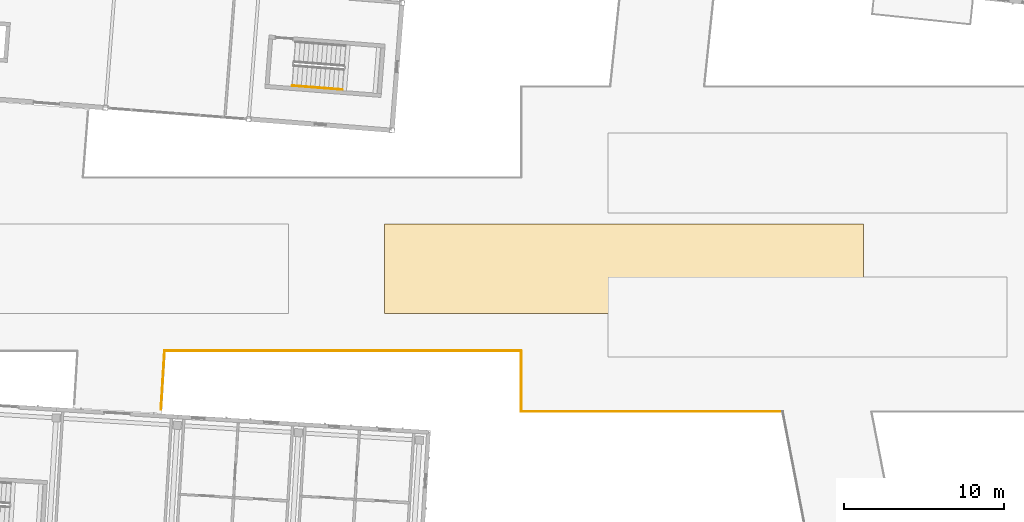
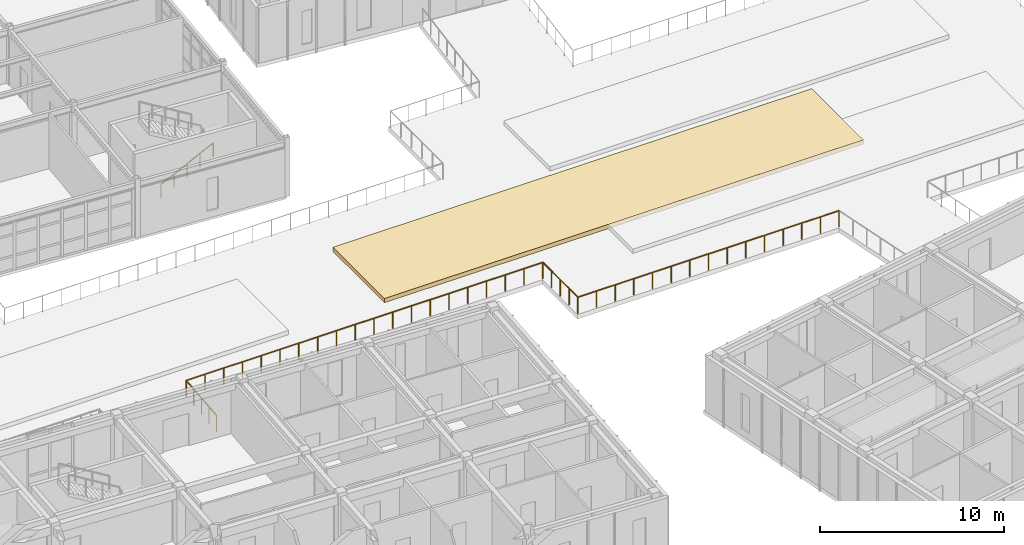
# One storey, part 135 of 150: 2 railings, 1 covering.
"""IFC4 building model written with IfcOpenShell, lengths in metres."""

import ifcopenshell
import ifcopenshell.guid

model = None  # the IFC model being written
_history = None  # IfcOwnerHistory: only IFC2X3 demands one
_inside = {}  # id of a spatial element -> (the spatial element, [elements in it])
_under = {}  # id of a project, library or spatial element -> (it, [spatial elements below it])
_declared = {}  # id of a project -> (the project, [libraries it declares])
_typed = {}  # id of a type object -> (the type object, [elements of that type])
_made_of = {}  # id of a material, layer set ... -> (it, [elements and type objects made of it])


def new_model(schema):
    """Start an empty IFC model of exactly this schema.

    Asked for "IFC4X3", IfcOpenShell would pick the latest addendum, in which some entities
    have other attributes; the version numbers below select the first issue.
    IFC2X3 requires an IfcOwnerHistory on every rooted entity: one is made here for all.
    """
    global model, _history
    if schema == "IFC4X3":
        model = ifcopenshell.file(schema_version=(4, 3, 0, 0))
    else:
        model = ifcopenshell.file(schema=schema)
    _inside.clear()
    _under.clear()
    _declared.clear()
    _typed.clear()
    _made_of.clear()
    _history = None
    if model.schema == "IFC2X3":
        org = make("IfcOrganization", Name="unknown")
        user = make(
            "IfcPersonAndOrganization",
            ThePerson=make("IfcPerson", FamilyName="unknown"),
            TheOrganization=org,
        )
        app = make(
            "IfcApplication",
            ApplicationDeveloper=org,
            Version="unknown",
            ApplicationFullName="unknown",
            ApplicationIdentifier="unknown",
        )
        _history = make(
            "IfcOwnerHistory",
            OwningUser=user,
            OwningApplication=app,
            ChangeAction="ADDED",
            CreationDate=0,
        )
    return model


def make(cls, **values):
    """One entity of the class cls with the attributes given. An attribute that is None is left unset."""
    return model.create_entity(
        cls, **{name: value for name, value in values.items() if value is not None}
    )


def rooted(cls, **values):
    """An entity with a GlobalId (a new one), such as an element, a storey or a relation."""
    return make(cls, GlobalId=ifcopenshell.guid.new(), OwnerHistory=_history, **values)


def si_unit(unit_type, name, prefix=None):
    """IfcSIUnit, for example si_unit("LENGTHUNIT", "METRE", prefix="MILLI")."""
    return make("IfcSIUnit", UnitType=unit_type, Prefix=prefix, Name=name)


def assignment(units):
    """IfcUnitAssignment: the units of a project."""
    return None if units is None else make("IfcUnitAssignment", Units=units)


def point(xyz):
    """IfcCartesianPoint."""
    return None if xyz is None else make("IfcCartesianPoint", Coordinates=xyz)


def direction(xyz):
    """IfcDirection."""
    return None if xyz is None else make("IfcDirection", DirectionRatios=xyz)


def frame(location, z_axis=None, x_axis=None):
    """IfcAxis2Placement3D, a coordinate frame: its origin and axes. An axis left out is left unset."""
    return make(
        "IfcAxis2Placement3D",
        Location=point(location),
        Axis=direction(z_axis),
        RefDirection=direction(x_axis),
    )


def frame_2d(location, x_axis=None):
    """IfcAxis2Placement2D, a coordinate frame in the plane: its origin and x axis."""
    return make(
        "IfcAxis2Placement2D", Location=point(location), RefDirection=direction(x_axis)
    )


def origin():
    """The frame at (0, 0, 0) with its axes left unset."""
    return frame((0.0, 0.0, 0.0))


def origin_2d():
    """The frame at (0, 0) in the plane with its x axis left unset."""
    return frame_2d((0.0, 0.0))


def place(relative_to, where):
    """IfcLocalPlacement: puts the frame where relative to a parent placement (None: the world)."""
    return make(
        "IfcLocalPlacement", PlacementRelTo=relative_to, RelativePlacement=where
    )


def context(
    kind, dimensions, precision=None, world=None, true_north=None, identifier=None
):
    """IfcGeometricRepresentationContext, for example the 3D "Model" context."""
    return make(
        "IfcGeometricRepresentationContext",
        ContextIdentifier=identifier,
        ContextType=kind,
        CoordinateSpaceDimension=dimensions,
        Precision=precision,
        WorldCoordinateSystem=world,
        TrueNorth=true_north,
    )


def subcontext(parent, identifier, kind, view, scale=None):
    """IfcGeometricRepresentationSubContext, for example "Body" below "Model"."""
    return make(
        "IfcGeometricRepresentationSubContext",
        ContextIdentifier=identifier,
        ContextType=kind,
        ParentContext=parent,
        TargetScale=scale,
        TargetView=view,
    )


def project(units=None, contexts=None):
    """IfcProject with its units and contexts."""
    return rooted(
        "IfcProject",
        Name="project",
        RepresentationContexts=contexts,
        UnitsInContext=assignment(units),
    )


def spatial(cls, under=None, at=None, **own):
    """A site, building, storey or space (cls), placed at a placement, below another one or the project."""
    s = rooted(cls, ObjectPlacement=at, **own)
    if under is not None:
        _under.setdefault(under.id(), (under, []))[1].append(s)
    return s


def polyline(points):
    """IfcPolyline through the points."""
    return make("IfcPolyline", Points=[point(p) for p in points])


def profile(cls, at=None, kind="AREA", **sizes):
    """A parametric profile (cls). Its sizes go by their IFC names, for example OverallWidth=200.0."""
    return make(cls, ProfileType=kind, Position=at, **sizes)


def circle(**sizes):
    """IfcCircleProfileDef."""
    return profile("IfcCircleProfileDef", **sizes)


def outline(outer, holes=None, kind="AREA"):
    """IfcArbitraryClosedProfileDef: a profile drawn as a closed curve; with holes, ...WithVoids."""
    if holes is None:
        return make("IfcArbitraryClosedProfileDef", ProfileType=kind, OuterCurve=outer)
    return make(
        "IfcArbitraryProfileDefWithVoids",
        ProfileType=kind,
        OuterCurve=outer,
        InnerCurves=holes,
    )


def extrude(swept, where, along, depth):
    """IfcExtrudedAreaSolid: the profile swept, set in the frame where, extruded along a direction by depth."""
    return make(
        "IfcExtrudedAreaSolid",
        SweptArea=swept,
        Position=where,
        ExtrudedDirection=direction(along),
        Depth=depth,
    )


def shape(context_of_items, identifier, shape_type, items):
    """IfcShapeRepresentation: the items that make up one representation, for example the "Body"."""
    return make(
        "IfcShapeRepresentation",
        ContextOfItems=context_of_items,
        RepresentationIdentifier=identifier,
        RepresentationType=shape_type,
        Items=items,
    )


def material(Name=None, Category=None):
    """IfcMaterial."""
    return make("IfcMaterial", Name=Name, Category=Category)


def layer(
    of_material, thickness, ventilated=None, Name=None, Category=None, Priority=None
):
    """IfcMaterialLayer: one layer of a wall or slab, of a material (None: an air gap)."""
    return make(
        "IfcMaterialLayer",
        Material=of_material,
        LayerThickness=thickness,
        IsVentilated=ventilated,
        Name=Name,
        Category=Category,
        Priority=Priority,
    )


def layer_set(layers, Name=None):
    """IfcMaterialLayerSet."""
    return make("IfcMaterialLayerSet", MaterialLayers=layers, LayerSetName=Name)


def made_of(thing, what):
    """Note that an element or type object is made of a material, layer set ...; save() writes the relation."""
    if what is not None:
        _made_of.setdefault(what.id(), (what, []))[1].append(thing)
    return thing


def type_object(cls, material=None, **own):
    """A type object (cls), such as IfcWallType, which elements share."""
    return made_of(rooted(cls, **own), material)


def element(
    cls,
    number,
    at=None,
    inside=None,
    cuts=None,
    type_object=None,
    material=None,
    context=None,
    identifier="Body",
    shape_type=None,
    held_by="IfcProductDefinitionShape",
    body=None,
    shapes=None,
    **own,
):
    """One element of the class cls, such as IfcWall. Its Tag is "e" and its number.

    at: its placement. inside: the storey or other place that contains it. cuts: it is an
    opening in that element (IfcRelVoidsElement). A single representation is given by context,
    identifier, shape_type and body (its items); several are given by shapes. held_by: the class
    of the entity that holds the representations. save() writes the other relations.
    """
    e = rooted(cls, Tag="e%d" % number, ObjectPlacement=at, **own)
    if body is not None:
        shapes = [shape(context, identifier, shape_type, body)]
    if shapes is not None:
        e.Representation = make(held_by, Representations=shapes)
    if inside is not None:
        _inside.setdefault(inside.id(), (inside, []))[1].append(e)
    if cuts is not None:
        rooted(
            "IfcRelVoidsElement", RelatingBuildingElement=cuts, RelatedOpeningElement=e
        )
    if type_object is not None:
        _typed.setdefault(type_object.id(), (type_object, []))[1].append(e)
    return made_of(e, material)


def aggregate(whole, parts):
    """IfcRelAggregates: a whole, such as a stair, and the parts it consists of."""
    return rooted("IfcRelAggregates", RelatingObject=whole, RelatedObjects=parts)


def save(model, path):
    """Write the relations noted so far, then the file.

    IfcRelAggregates (storeys below a building ...), IfcRelContainedInSpatialStructure (elements
    in a storey), IfcRelDefinesByType, IfcRelAssociatesMaterial and IfcRelDeclares: one each for
    every whole, place, type object, material and project.
    """
    for whole, parts in _under.values():
        aggregate(whole, parts)
    for where, things in _inside.values():
        rooted(
            "IfcRelContainedInSpatialStructure",
            RelatedElements=things,
            RelatingStructure=where,
        )
    for kind, things in _typed.values():
        rooted("IfcRelDefinesByType", RelatedObjects=things, RelatingType=kind)
    for what, things in _made_of.values():
        rooted("IfcRelAssociatesMaterial", RelatedObjects=things, RelatingMaterial=what)
    for by, libraries in _declared.values():
        rooted("IfcRelDeclares", RelatingContext=by, RelatedDefinitions=libraries)
    model.write(path)


model = new_model("IFC4")

# Units and contexts
model_context = context("Model", 3, precision=1e-05, world=origin(), true_north=direction((0.0, 1.0)))
body_context = subcontext(model_context, "Body", "Model", "MODEL_VIEW")
ifc_project = project(units=[si_unit("LENGTHUNIT", "METRE"), si_unit("AREAUNIT", "SQUARE_METRE"), si_unit("VOLUMEUNIT", "CUBIC_METRE"), si_unit("PLANEANGLEUNIT", "RADIAN"), si_unit("MASSUNIT", "GRAM", prefix="KILO")], contexts=[model_context])

# Site, building, storey
site_placement = place(None, origin())
site = spatial("IfcSite", under=ifc_project, at=site_placement, CompositionType="ELEMENT")
building_placement = place(site_placement, origin())
building = spatial("IfcBuilding", under=site, at=building_placement, Name="Kestramere Prow Commons", CompositionType="ELEMENT")
storey_placement = place(building_placement, frame((0.0, 0.0, 4.5)))
storey = spatial("IfcBuildingStorey", under=building, at=storey_placement, Name="L01", CompositionType="ELEMENT", Elevation=4.5)

# Covering
ifc_material_1 = material(Name="Planted Tropical Rain-Garden Soil and Foliage")
ifc_layer = layer(ifc_material_1, 0.280029296875)
ifc_layer_set = layer_set([ifc_layer], Name="Planted Tropical Rain-Garden Soil and Foliage")
covering_type = type_object("IfcCoveringType", Name="COV-PLANT-STRIP", PredefinedType="USERDEFINED", material=ifc_layer_set)
covering_placement = place(storey_placement, origin())
element("IfcCovering", 1, at=covering_placement, inside=storey, type_object=covering_type, Name="Raised Courtyard Planted Rain-Garden Bed PLST-CRT-C3", ObjectType="PLANTED STRIP", PredefinedType="USERDEFINED", context=body_context, shape_type="SweptSolid", body=[
    extrude(outline(polyline([(104.0, 71.199951171875), (104.0, 76.800048828125), (134.0, 76.800048828125), (134.0, 71.199951171875), (104.0, 71.199951171875)])), origin(), (0.0, 0.0, 1.0), 0.280029296875),
])

# Railings
ifc_material_2 = material(Name="Powder-Coated Aluminium 6063-T6", Category="aluminium")
railing_type_1 = type_object("IfcRailingType", Name="GRD-BALC-1100", PredefinedType="BALUSTRADE", material=ifc_material_2)
railing_1_placement = place(storey_placement, frame((128.943359375, 65.080078125, 0.0)))
element("IfcRailing", 2, at=railing_1_placement, inside=storey, type_object=railing_type_1, Name="Raised Central Courtyard Perimeter Guardrail 1", PredefinedType="BALUSTRADE", context=body_context, shape_type="SweptSolid", body=[
    extrude(circle(Radius=0.02392578125, at=origin_2d()), frame((0.0, 0.0, 1.076171875), z_axis=(-1.0, 0.0, 0.0), x_axis=(0.0, -1.0, 0.0)), (0.0, 0.0, 1.0), 16.36328125),
    extrude(circle(Radius=0.02392578125, at=origin_2d()), frame((-16.36328125, 0.0, 1.076171875), z_axis=(0.0, 1.0, 0.0), x_axis=(-1.0, 0.0, 0.0)), (0.0, 0.0, 1.0), 3.7998046875),
    extrude(circle(Radius=0.02392578125, at=origin_2d()), frame((-16.36328125, 3.7998046875, 1.076171875), z_axis=(-1.0, 0.0, 0.0), x_axis=(0.0, -1.0, 0.0)), (0.0, 0.0, 1.0), 22.33642578125),
    extrude(circle(Radius=0.02392578125, at=origin_2d()), frame((-38.69970703125, 3.7998046875, 1.076171875), z_axis=(-0.061087162657, -0.99813243538, 0.0), x_axis=(0.99813243538, -0.061087162657, 0.0)), (0.0, 0.0, 1.0), 3.684814453125),
    extrude(circle(Radius=0.02099609375, at=origin_2d()), origin(), (0.0, 0.0, 1.0), 1.052001953125),
    extrude(circle(Radius=0.02099609375, at=origin_2d()), frame((-1.168701171875, 0.0, 0.0)), (0.0, 0.0, 1.0), 1.052001953125),
    extrude(circle(Radius=0.02099609375, at=origin_2d()), frame((-2.337646484375, 0.0, 0.0)), (0.0, 0.0, 1.0), 1.052001953125),
    extrude(circle(Radius=0.02099609375, at=origin_2d()), frame((-3.50634765625, 0.0, 0.0)), (0.0, 0.0, 1.0), 1.052001953125),
    extrude(circle(Radius=0.02099609375, at=origin_2d()), frame((-4.67529296875, 0.0, 0.0)), (0.0, 0.0, 1.0), 1.052001953125),
    extrude(circle(Radius=0.02099609375, at=origin_2d()), frame((-5.843994140625, 0.0, 0.0)), (0.0, 0.0, 1.0), 1.052001953125),
    extrude(circle(Radius=0.02099609375, at=origin_2d()), frame((-7.012939453125, 0.0, 0.0)), (0.0, 0.0, 1.0), 1.052001953125),
    extrude(circle(Radius=0.02099609375, at=origin_2d()), frame((-8.181640625, 0.0, 0.0)), (0.0, 0.0, 1.0), 1.052001953125),
    extrude(circle(Radius=0.02099609375, at=origin_2d()), frame((-9.350341796875, 0.0, 0.0)), (0.0, 0.0, 1.0), 1.052001953125),
    extrude(circle(Radius=0.02099609375, at=origin_2d()), frame((-10.519287109375, 0.0, 0.0)), (0.0, 0.0, 1.0), 1.052001953125),
    extrude(circle(Radius=0.02099609375, at=origin_2d()), frame((-11.68798828125, 0.0, 0.0)), (0.0, 0.0, 1.0), 1.052001953125),
    extrude(circle(Radius=0.02099609375, at=origin_2d()), frame((-12.85693359375, 0.0, 0.0)), (0.0, 0.0, 1.0), 1.052001953125),
    extrude(circle(Radius=0.02099609375, at=origin_2d()), frame((-14.025634765625, 0.0, 0.0)), (0.0, 0.0, 1.0), 1.052001953125),
    extrude(circle(Radius=0.02099609375, at=origin_2d()), frame((-15.194580078125, 0.0, 0.0)), (0.0, 0.0, 1.0), 1.052001953125),
    extrude(circle(Radius=0.02099609375, at=origin_2d()), frame((-16.36328125, 0.0, 0.0)), (0.0, 0.0, 1.0), 1.052001953125),
    extrude(circle(Radius=0.02099609375, at=origin_2d()), frame((-16.36328125, 0.949951171875, 0.0)), (0.0, 0.0, 1.0), 1.052001953125),
    extrude(circle(Radius=0.02099609375, at=origin_2d()), frame((-16.36328125, 1.89990234375, 0.0)), (0.0, 0.0, 1.0), 1.052001953125),
    extrude(circle(Radius=0.02099609375, at=origin_2d()), frame((-16.36328125, 2.849853515625, 0.0)), (0.0, 0.0, 1.0), 1.052001953125),
    extrude(circle(Radius=0.02099609375, at=origin_2d()), frame((-16.36328125, 3.7998046875, 0.0)), (0.0, 0.0, 1.0), 1.052001953125),
    extrude(circle(Radius=0.02099609375, at=origin_2d()), frame((-17.538818359375, 3.7998046875, 0.0)), (0.0, 0.0, 1.0), 1.052001953125),
    extrude(circle(Radius=0.02099609375, at=origin_2d()), frame((-18.714599609375, 3.7998046875, 0.0)), (0.0, 0.0, 1.0), 1.052001953125),
    extrude(circle(Radius=0.02099609375, at=origin_2d()), frame((-19.89013671875, 3.7998046875, 0.0)), (0.0, 0.0, 1.0), 1.052001953125),
    extrude(circle(Radius=0.02099609375, at=origin_2d()), frame((-21.065673828125, 3.7998046875, 0.0)), (0.0, 0.0, 1.0), 1.052001953125),
    extrude(circle(Radius=0.02099609375, at=origin_2d()), frame((-22.2412109375, 3.7998046875, 0.0)), (0.0, 0.0, 1.0), 1.052001953125),
    extrude(circle(Radius=0.02099609375, at=origin_2d()), frame((-23.4169921875, 3.7998046875, 0.0)), (0.0, 0.0, 1.0), 1.052001953125),
    extrude(circle(Radius=0.02099609375, at=origin_2d()), frame((-24.592529296875, 3.7998046875, 0.0)), (0.0, 0.0, 1.0), 1.052001953125),
    extrude(circle(Radius=0.02099609375, at=origin_2d()), frame((-25.76806640625, 3.7998046875, 0.0)), (0.0, 0.0, 1.0), 1.052001953125),
    extrude(circle(Radius=0.02099609375, at=origin_2d()), frame((-26.943603515625, 3.7998046875, 0.0)), (0.0, 0.0, 1.0), 1.052001953125),
    extrude(circle(Radius=0.02099609375, at=origin_2d()), frame((-28.119384765625, 3.7998046875, 0.0)), (0.0, 0.0, 1.0), 1.052001953125),
    extrude(circle(Radius=0.02099609375, at=origin_2d()), frame((-29.294921875, 3.7998046875, 0.0)), (0.0, 0.0, 1.0), 1.052001953125),
    extrude(circle(Radius=0.02099609375, at=origin_2d()), frame((-30.470458984375, 3.7998046875, 0.0)), (0.0, 0.0, 1.0), 1.052001953125),
    extrude(circle(Radius=0.02099609375, at=origin_2d()), frame((-31.64599609375, 3.7998046875, 0.0)), (0.0, 0.0, 1.0), 1.052001953125),
    extrude(circle(Radius=0.02099609375, at=origin_2d()), frame((-32.82177734375, 3.7998046875, 0.0)), (0.0, 0.0, 1.0), 1.052001953125),
    extrude(circle(Radius=0.02099609375, at=origin_2d()), frame((-33.997314453125, 3.7998046875, 0.0)), (0.0, 0.0, 1.0), 1.052001953125),
    extrude(circle(Radius=0.02099609375, at=origin_2d()), frame((-35.1728515625, 3.7998046875, 0.0)), (0.0, 0.0, 1.0), 1.052001953125),
    extrude(circle(Radius=0.02099609375, at=origin_2d()), frame((-36.348388671875, 3.7998046875, 0.0)), (0.0, 0.0, 1.0), 1.052001953125),
    extrude(circle(Radius=0.02099609375, at=origin_2d()), frame((-37.524169921875, 3.7998046875, 0.0)), (0.0, 0.0, 1.0), 1.052001953125),
    extrude(circle(Radius=0.02099609375, at=origin_2d()), frame((-38.69970703125, 3.7998046875, 0.0)), (0.0, 0.0, 1.0), 1.052001953125),
    extrude(circle(Radius=0.02099609375, at=origin_2d()), frame((-38.755859375, 2.88037109375, 0.0)), (0.0, 0.0, 1.0), 1.052001953125),
    extrude(circle(Radius=0.02099609375, at=origin_2d()), frame((-38.812255859375, 1.9609375, 0.0)), (0.0, 0.0, 1.0), 1.052001953125),
    extrude(circle(Radius=0.02099609375, at=origin_2d()), frame((-38.86865234375, 1.041259765625, 0.0)), (0.0, 0.0, 1.0), 1.052001953125),
    extrude(circle(Radius=0.02099609375, at=origin_2d()), frame((-38.9248046875, 0.121826171875, 0.0)), (0.0, 0.0, 1.0), 1.052001953125),
])
ifc_material_3 = material(Name="Stainless Steel 304", Category="steel")
railing_type_2 = type_object("IfcRailingType", Name="RL-ST-HR-900", PredefinedType="HANDRAIL", material=ifc_material_3)
railing_2_placement = place(storey_placement, frame((98.2392578125, 85.474365234375, 0.324951171875)))
element("IfcRailing", 3, at=railing_2_placement, inside=storey, type_object=railing_type_2, Name="L01 ST-N2 stair handrail 1", PredefinedType="HANDRAIL", context=body_context, shape_type="SweptSolid", body=[
    extrude(circle(Radius=0.02392578125, at=origin_2d()), frame((0.0, 0.0, 0.8759765625), z_axis=(0.866034654495, -0.068121926033, 0.495321491971), x_axis=(0.078417361485, 0.99692061741, 0.0)), (0.0, 0.0, 1.0), 3.60888671875),
    extrude(circle(Radius=0.02099609375, at=origin_2d()), origin(), (0.0, 0.0, 1.0), 0.851806640625),
    extrude(circle(Radius=0.02099609375, at=origin_2d()), frame((0.78125, -0.0615234375, 0.44677734375)), (0.0, 0.0, 1.0), 0.851806640625),
    extrude(circle(Radius=0.02099609375, at=origin_2d()), frame((1.562744140625, -0.123046875, 0.893798828125)), (0.0, 0.0, 1.0), 0.851806640625),
    extrude(circle(Radius=0.02099609375, at=origin_2d()), frame((2.34423828125, -0.184326171875, 1.3408203125)), (0.0, 0.0, 1.0), 0.851806640625),
    extrude(circle(Radius=0.02099609375, at=origin_2d()), frame((3.12548828125, -0.245849609375, 1.78759765625)), (0.0, 0.0, 1.0), 0.851806640625),
])

save(model, "model.ifc")
